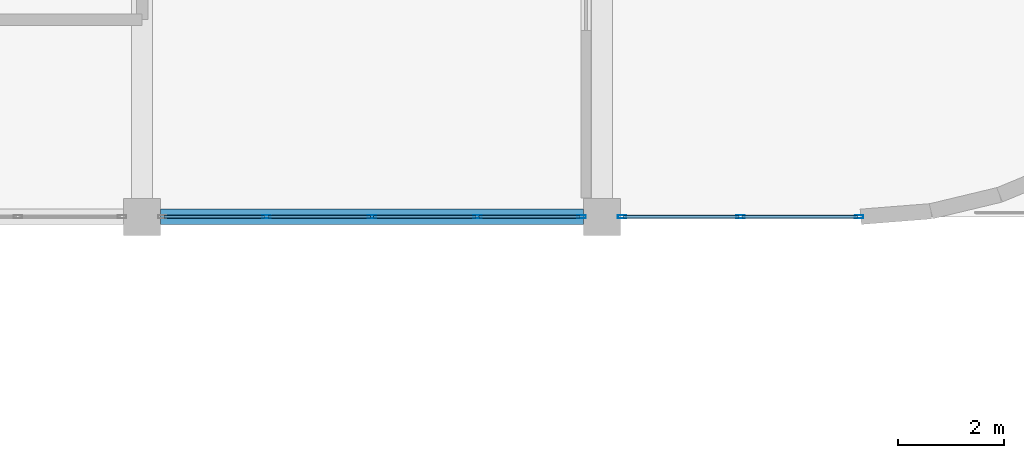
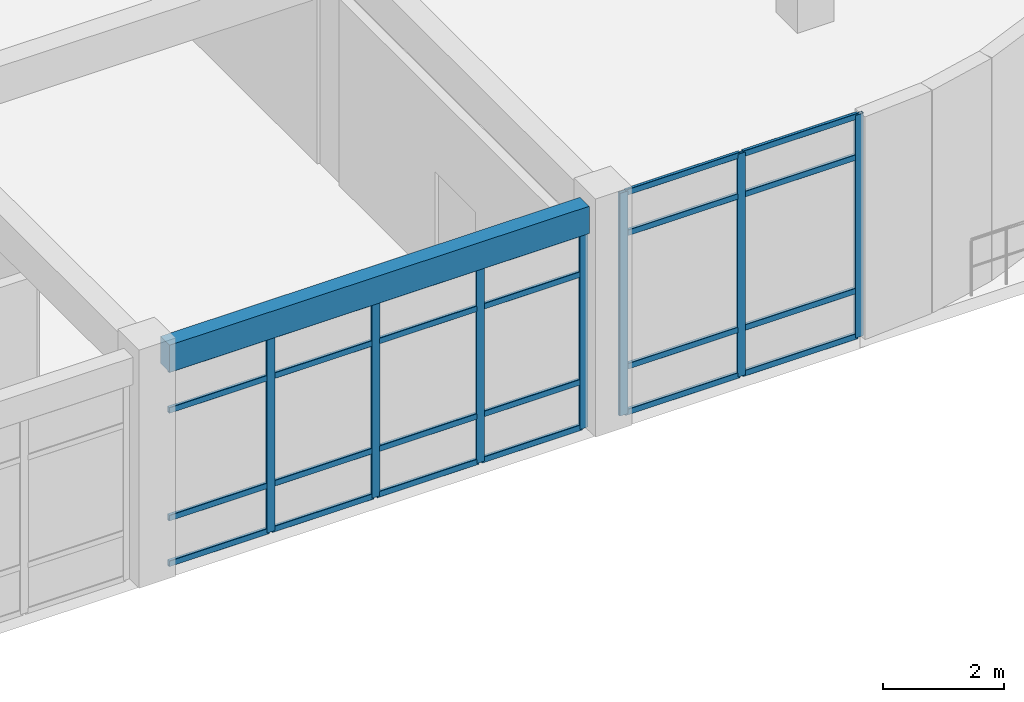
# One storey, part 41 of 76: 31 members, 1 beam, 2 elements without a shape of their own.
"""IFC4 building model written with IfcOpenShell, lengths in metres."""

from ifc_helpers import new_model, si_unit, derived_unit, direction, frame, origin, origin_2d, place, context, subcontext, project, spatial, rectangle, hollow_rectangle, extrude, material, layer, layer_set, material_profile, profile_set, type_object, element, aggregate, save


model = new_model("IFC4")

# Units and contexts
model_context = context("Model", 3, precision=1e-05, world=origin(), true_north=direction((0.0, 1.0)))
body_context = subcontext(model_context, "Body", "Model", "MODEL_VIEW")
ifc_project = project(units=[si_unit("LENGTHUNIT", "METRE"), si_unit("AREAUNIT", "SQUARE_METRE"), si_unit("VOLUMEUNIT", "CUBIC_METRE"), si_unit("PLANEANGLEUNIT", "RADIAN"), si_unit("MASSUNIT", "GRAM", prefix="KILO"), derived_unit("THERMALTRANSMITTANCEUNIT", [(si_unit("MASSUNIT", "GRAM", prefix="KILO"), 1), (si_unit("TIMEUNIT", "SECOND"), -3), (si_unit("THERMODYNAMICTEMPERATUREUNIT", "KELVIN"), -1)])], contexts=[model_context])

# Site, building, storey
site_placement = place(None, origin())
site = spatial("IfcSite", under=ifc_project, at=site_placement, CompositionType="ELEMENT")
building_placement = place(site_placement, origin())
building = spatial("IfcBuilding", under=site, at=building_placement, Name="Qinzheling Arcade Emporium", CompositionType="ELEMENT")
storey_placement = place(building_placement, frame((0.0, 0.0, 26.699951171875)))
storey = spatial("IfcBuildingStorey", under=building, at=storey_placement, Name="L06", CompositionType="ELEMENT", Elevation=26.699951171875)

# Curtain wall, members
ifc_material_1 = material(Name="Anodised aluminium and solar-control double glazing", Category="aluminium")
ifc_layer = layer(ifc_material_1, 0.159912109375, Name="Anodised aluminium and solar-control double glazing", Category="aluminium")
ifc_layer_set = layer_set([ifc_layer], Name="Anodised aluminium and solar-control double glazing")
curtain_wall_type = type_object("IfcCurtainWallType", Name="Arcade Portal Glazed Curtain Wall", PredefinedType="NOTDEFINED", material=ifc_layer_set)
curtain_wall_1_placement = place(storey_placement, origin())
curtain_wall_1 = element("IfcCurtainWall", 1, at=curtain_wall_1_placement, inside=storey, type_object=curtain_wall_type, Name="Curtain Wall CW-L06-394", PredefinedType="NOTDEFINED")
ifc_material_2 = material(Name="Anodised aluminium 6063-T6", Category="aluminium")
ifc_material_profile_1 = material_profile(ifc_material_2, hollow_rectangle(XDim=0.06005859375, YDim=0.159912109375, WallThickness=0.00390625, InnerFilletRadius=0.00390625, OuterFilletRadius=0.008056640625, at=origin_2d()), Name="RHS 160x60x4", Category="aluminium")
ifc_profile_set_1 = profile_set([ifc_material_profile_1], Name="Anodised aluminium 6063-T6")
member_type_1 = type_object("IfcMemberType", Name="Curtain Wall Mullion RHS160x60", PredefinedType="MULLION", material=ifc_profile_set_1)
member_1_placement = place(storey_placement, frame((126.669921875, 73.800048828125, 0.0), z_axis=(0.0, 0.0, 1.0), x_axis=(0.0, -1.0, 0.0)))
member_1 = element("IfcMember", 2, at=member_1_placement, type_object=member_type_1, Name="CW05 mullion 1", PredefinedType="MULLION", context=body_context, shape_type="SweptSolid", body=[
    extrude(hollow_rectangle(XDim=0.06005859375, YDim=0.159912109375, WallThickness=0.00390625, InnerFilletRadius=0.00390625, OuterFilletRadius=0.008056640625, at=origin_2d()), origin(), (0.0, 0.0, 1.0), 4.489990234375),
])
member_2_placement = place(storey_placement, frame((124.426025390625, 73.800048828125, 0.0), z_axis=(0.0, 0.0, 1.0), x_axis=(0.0, -1.0, 0.0)))
member_2 = element("IfcMember", 3, at=member_2_placement, type_object=member_type_1, Name="CW05 mullion 2", PredefinedType="MULLION", context=body_context, shape_type="SweptSolid", body=[
    extrude(hollow_rectangle(XDim=0.06005859375, YDim=0.159912109375, WallThickness=0.00390625, InnerFilletRadius=0.00390625, OuterFilletRadius=0.008056640625, at=origin_2d()), origin(), (0.0, 0.0, 1.0), 4.489990234375),
])
member_3_placement = place(storey_placement, frame((122.181884765625, 73.800048828125, 0.0), z_axis=(0.0, 0.0, 1.0), x_axis=(0.0, -1.0, 0.0)))
member_3 = element("IfcMember", 4, at=member_3_placement, type_object=member_type_1, Name="CW05 mullion 3", PredefinedType="MULLION", context=body_context, shape_type="SweptSolid", body=[
    extrude(hollow_rectangle(XDim=0.06005859375, YDim=0.159912109375, WallThickness=0.00390625, InnerFilletRadius=0.00390625, OuterFilletRadius=0.008056640625, at=origin_2d()), origin(), (0.0, 0.0, 1.0), 4.489990234375),
])

curtain_wall_2_placement = place(storey_placement, origin())
curtain_wall_2 = element("IfcCurtainWall", 5, at=curtain_wall_2_placement, inside=storey, type_object=curtain_wall_type, Name="Curtain Wall CW-L06-395", PredefinedType="NOTDEFINED")
member_4_placement = place(storey_placement, frame((121.41796875, 73.800048828125, 0.0), z_axis=(0.0, 0.0, 1.0), x_axis=(0.0, -1.0, 0.0)))
member_4 = element("IfcMember", 6, at=member_4_placement, type_object=member_type_1, Name="CW05 mullion 1", PredefinedType="MULLION", context=body_context, shape_type="SweptSolid", body=[
    extrude(hollow_rectangle(XDim=0.06005859375, YDim=0.159912109375, WallThickness=0.00390625, InnerFilletRadius=0.00390625, OuterFilletRadius=0.008056640625, at=origin_2d()), origin(), (0.0, 0.0, 1.0), 3.969970703125),
])
member_5_placement = place(storey_placement, frame((119.448974609375, 73.800048828125, 0.0), z_axis=(0.0, 0.0, 1.0), x_axis=(0.0, -1.0, 0.0)))
member_5 = element("IfcMember", 7, at=member_5_placement, type_object=member_type_1, Name="CW05 mullion 2", PredefinedType="MULLION", context=body_context, shape_type="SweptSolid", body=[
    extrude(hollow_rectangle(XDim=0.06005859375, YDim=0.159912109375, WallThickness=0.00390625, InnerFilletRadius=0.00390625, OuterFilletRadius=0.008056640625, at=origin_2d()), origin(), (0.0, 0.0, 1.0), 3.969970703125),
])
member_6_placement = place(storey_placement, frame((117.449951171875, 73.800048828125, 0.0), z_axis=(0.0, 0.0, 1.0), x_axis=(0.0, -1.0, 0.0)))
member_6 = element("IfcMember", 8, at=member_6_placement, type_object=member_type_1, Name="CW05 mullion 3", PredefinedType="MULLION", context=body_context, shape_type="SweptSolid", body=[
    extrude(hollow_rectangle(XDim=0.06005859375, YDim=0.159912109375, WallThickness=0.00390625, InnerFilletRadius=0.00390625, OuterFilletRadius=0.008056640625, at=origin_2d()), origin(), (0.0, 0.0, 1.0), 3.969970703125),
])
member_7_placement = place(storey_placement, frame((115.450927734375, 73.800048828125, 0.0), z_axis=(0.0, 0.0, 1.0), x_axis=(0.0, -1.0, 0.0)))
member_7 = element("IfcMember", 9, at=member_7_placement, type_object=member_type_1, Name="CW05 mullion 4", PredefinedType="MULLION", context=body_context, shape_type="SweptSolid", body=[
    extrude(hollow_rectangle(XDim=0.06005859375, YDim=0.159912109375, WallThickness=0.00390625, InnerFilletRadius=0.00390625, OuterFilletRadius=0.008056640625, at=origin_2d()), origin(), (0.0, 0.0, 1.0), 3.969970703125),
])

# Member
ifc_material_profile_2 = material_profile(ifc_material_2, hollow_rectangle(XDim=0.06005859375, YDim=0.1201171875, WallThickness=0.00390625, InnerFilletRadius=0.00390625, OuterFilletRadius=0.008056640625, at=origin_2d()), Name="RHS 120x60x4", Category="aluminium")
ifc_profile_set_2 = profile_set([ifc_material_profile_2], Name="Anodised aluminium 6063-T6")
member_type_2 = type_object("IfcMemberType", Name="Curtain Wall Transom RHS120x60", PredefinedType="USERDEFINED", material=ifc_profile_set_2)
member_8_placement = place(storey_placement, frame((126.639892578125, 73.800048828125, 0.030029296875), z_axis=(-1.0, 0.0, 0.0), x_axis=(0.0, -1.0, 0.0)))
member_8 = element("IfcMember", 10, at=member_8_placement, type_object=member_type_2, Name="CW05 transom 1.1", ObjectType="TRANSOM", PredefinedType="USERDEFINED", context=body_context, shape_type="SweptSolid", body=[
    extrude(hollow_rectangle(XDim=0.06005859375, YDim=0.1201171875, WallThickness=0.00390625, InnerFilletRadius=0.00390625, OuterFilletRadius=0.008056640625, at=origin_2d()), origin(), (0.0, 0.0, 1.0), 2.183837890625),
])

member_9_placement = place(storey_placement, frame((126.639892578125, 73.800048828125, 0.949951171875), z_axis=(-1.0, 0.0, 0.0), x_axis=(0.0, -1.0, 0.0)))
member_9 = element("IfcMember", 11, at=member_9_placement, type_object=member_type_2, Name="CW05 transom 1.2", ObjectType="TRANSOM", PredefinedType="USERDEFINED", context=body_context, shape_type="SweptSolid", body=[
    extrude(hollow_rectangle(XDim=0.06005859375, YDim=0.1201171875, WallThickness=0.00390625, InnerFilletRadius=0.00390625, OuterFilletRadius=0.008056640625, at=origin_2d()), origin(), (0.0, 0.0, 1.0), 2.183837890625),
])

member_10_placement = place(storey_placement, frame((126.639892578125, 73.800048828125, 3.64013671875), z_axis=(-1.0, 0.0, 0.0), x_axis=(0.0, -1.0, 0.0)))
member_10 = element("IfcMember", 12, at=member_10_placement, type_object=member_type_2, Name="CW05 transom 1.3", ObjectType="TRANSOM", PredefinedType="USERDEFINED", context=body_context, shape_type="SweptSolid", body=[
    extrude(hollow_rectangle(XDim=0.06005859375, YDim=0.1201171875, WallThickness=0.00390625, InnerFilletRadius=0.00390625, OuterFilletRadius=0.008056640625, at=origin_2d()), origin(), (0.0, 0.0, 1.0), 2.183837890625),
])

member_11_placement = place(storey_placement, frame((126.639892578125, 73.800048828125, 4.4599609375), z_axis=(-1.0, 0.0, 0.0), x_axis=(0.0, -1.0, 0.0)))
member_11 = element("IfcMember", 13, at=member_11_placement, type_object=member_type_2, Name="CW05 transom 1.4", ObjectType="TRANSOM", PredefinedType="USERDEFINED", context=body_context, shape_type="SweptSolid", body=[
    extrude(hollow_rectangle(XDim=0.06005859375, YDim=0.1201171875, WallThickness=0.00390625, InnerFilletRadius=0.00390625, OuterFilletRadius=0.008056640625, at=origin_2d()), origin(), (0.0, 0.0, 1.0), 2.183837890625),
])

member_12_placement = place(storey_placement, frame((124.39599609375, 73.800048828125, 0.030029296875), z_axis=(-1.0, 0.0, 0.0), x_axis=(0.0, -1.0, 0.0)))
member_12 = element("IfcMember", 14, at=member_12_placement, type_object=member_type_2, Name="CW05 transom 2.1", ObjectType="TRANSOM", PredefinedType="USERDEFINED", context=body_context, shape_type="SweptSolid", body=[
    extrude(hollow_rectangle(XDim=0.06005859375, YDim=0.1201171875, WallThickness=0.00390625, InnerFilletRadius=0.00390625, OuterFilletRadius=0.008056640625, at=origin_2d()), origin(), (0.0, 0.0, 1.0), 2.18408203125),
])

member_13_placement = place(storey_placement, frame((124.39599609375, 73.800048828125, 0.949951171875), z_axis=(-1.0, 0.0, 0.0), x_axis=(0.0, -1.0, 0.0)))
member_13 = element("IfcMember", 15, at=member_13_placement, type_object=member_type_2, Name="CW05 transom 2.2", ObjectType="TRANSOM", PredefinedType="USERDEFINED", context=body_context, shape_type="SweptSolid", body=[
    extrude(hollow_rectangle(XDim=0.06005859375, YDim=0.1201171875, WallThickness=0.00390625, InnerFilletRadius=0.00390625, OuterFilletRadius=0.008056640625, at=origin_2d()), origin(), (0.0, 0.0, 1.0), 2.18408203125),
])

member_14_placement = place(storey_placement, frame((124.39599609375, 73.800048828125, 3.64013671875), z_axis=(-1.0, 0.0, 0.0), x_axis=(0.0, -1.0, 0.0)))
member_14 = element("IfcMember", 16, at=member_14_placement, type_object=member_type_2, Name="CW05 transom 2.3", ObjectType="TRANSOM", PredefinedType="USERDEFINED", context=body_context, shape_type="SweptSolid", body=[
    extrude(hollow_rectangle(XDim=0.06005859375, YDim=0.1201171875, WallThickness=0.00390625, InnerFilletRadius=0.00390625, OuterFilletRadius=0.008056640625, at=origin_2d()), origin(), (0.0, 0.0, 1.0), 2.18408203125),
])

member_15_placement = place(storey_placement, frame((124.39599609375, 73.800048828125, 4.4599609375), z_axis=(-1.0, 0.0, 0.0), x_axis=(0.0, -1.0, 0.0)))
member_15 = element("IfcMember", 17, at=member_15_placement, type_object=member_type_2, Name="CW05 transom 2.4", ObjectType="TRANSOM", PredefinedType="USERDEFINED", context=body_context, shape_type="SweptSolid", body=[
    extrude(hollow_rectangle(XDim=0.06005859375, YDim=0.1201171875, WallThickness=0.00390625, InnerFilletRadius=0.00390625, OuterFilletRadius=0.008056640625, at=origin_2d()), origin(), (0.0, 0.0, 1.0), 2.18408203125),
])

aggregate(curtain_wall_1, [member_1, member_2, member_3, member_8, member_9, member_10, member_11, member_12, member_13, member_14, member_15])

member_16_placement = place(storey_placement, frame((121.387939453125, 73.800048828125, 0.030029296875), z_axis=(-1.0, 0.0, 0.0), x_axis=(0.0, -1.0, 0.0)))
member_16 = element("IfcMember", 18, at=member_16_placement, type_object=member_type_2, Name="CW05 transom 1.1", ObjectType="TRANSOM", PredefinedType="USERDEFINED", context=body_context, shape_type="SweptSolid", body=[
    extrude(hollow_rectangle(XDim=0.06005859375, YDim=0.1201171875, WallThickness=0.00390625, InnerFilletRadius=0.00390625, OuterFilletRadius=0.008056640625, at=origin_2d()), origin(), (0.0, 0.0, 1.0), 1.908935546875),
])

member_17_placement = place(storey_placement, frame((121.387939453125, 73.800048828125, 0.949951171875), z_axis=(-1.0, 0.0, 0.0), x_axis=(0.0, -1.0, 0.0)))
member_17 = element("IfcMember", 19, at=member_17_placement, type_object=member_type_2, Name="CW05 transom 1.2", ObjectType="TRANSOM", PredefinedType="USERDEFINED", context=body_context, shape_type="SweptSolid", body=[
    extrude(hollow_rectangle(XDim=0.06005859375, YDim=0.1201171875, WallThickness=0.00390625, InnerFilletRadius=0.00390625, OuterFilletRadius=0.008056640625, at=origin_2d()), origin(), (0.0, 0.0, 1.0), 1.908935546875),
])

member_18_placement = place(storey_placement, frame((121.387939453125, 73.800048828125, 3.1201171875), z_axis=(-1.0, 0.0, 0.0), x_axis=(0.0, -1.0, 0.0)))
member_18 = element("IfcMember", 20, at=member_18_placement, type_object=member_type_2, Name="CW05 transom 1.3", ObjectType="TRANSOM", PredefinedType="USERDEFINED", context=body_context, shape_type="SweptSolid", body=[
    extrude(hollow_rectangle(XDim=0.06005859375, YDim=0.1201171875, WallThickness=0.00390625, InnerFilletRadius=0.00390625, OuterFilletRadius=0.008056640625, at=origin_2d()), origin(), (0.0, 0.0, 1.0), 1.908935546875),
])

member_19_placement = place(storey_placement, frame((121.387939453125, 73.800048828125, 3.93994140625), z_axis=(-1.0, 0.0, 0.0), x_axis=(0.0, -1.0, 0.0)))
member_19 = element("IfcMember", 21, at=member_19_placement, type_object=member_type_2, Name="CW05 transom 1.4", ObjectType="TRANSOM", PredefinedType="USERDEFINED", context=body_context, shape_type="SweptSolid", body=[
    extrude(hollow_rectangle(XDim=0.06005859375, YDim=0.1201171875, WallThickness=0.00390625, InnerFilletRadius=0.00390625, OuterFilletRadius=0.008056640625, at=origin_2d()), origin(), (0.0, 0.0, 1.0), 1.908935546875),
])

member_20_placement = place(storey_placement, frame((119.4189453125, 73.800048828125, 0.030029296875), z_axis=(-1.0, 0.0, 0.0), x_axis=(0.0, -1.0, 0.0)))
member_20 = element("IfcMember", 22, at=member_20_placement, type_object=member_type_2, Name="CW05 transom 2.1", ObjectType="TRANSOM", PredefinedType="USERDEFINED", context=body_context, shape_type="SweptSolid", body=[
    extrude(hollow_rectangle(XDim=0.06005859375, YDim=0.1201171875, WallThickness=0.00390625, InnerFilletRadius=0.00390625, OuterFilletRadius=0.008056640625, at=origin_2d()), origin(), (0.0, 0.0, 1.0), 1.93896484375),
])

member_21_placement = place(storey_placement, frame((119.4189453125, 73.800048828125, 0.949951171875), z_axis=(-1.0, 0.0, 0.0), x_axis=(0.0, -1.0, 0.0)))
member_21 = element("IfcMember", 23, at=member_21_placement, type_object=member_type_2, Name="CW05 transom 2.2", ObjectType="TRANSOM", PredefinedType="USERDEFINED", context=body_context, shape_type="SweptSolid", body=[
    extrude(hollow_rectangle(XDim=0.06005859375, YDim=0.1201171875, WallThickness=0.00390625, InnerFilletRadius=0.00390625, OuterFilletRadius=0.008056640625, at=origin_2d()), origin(), (0.0, 0.0, 1.0), 1.93896484375),
])

member_22_placement = place(storey_placement, frame((119.4189453125, 73.800048828125, 3.1201171875), z_axis=(-1.0, 0.0, 0.0), x_axis=(0.0, -1.0, 0.0)))
member_22 = element("IfcMember", 24, at=member_22_placement, type_object=member_type_2, Name="CW05 transom 2.3", ObjectType="TRANSOM", PredefinedType="USERDEFINED", context=body_context, shape_type="SweptSolid", body=[
    extrude(hollow_rectangle(XDim=0.06005859375, YDim=0.1201171875, WallThickness=0.00390625, InnerFilletRadius=0.00390625, OuterFilletRadius=0.008056640625, at=origin_2d()), origin(), (0.0, 0.0, 1.0), 1.93896484375),
])

member_23_placement = place(storey_placement, frame((119.4189453125, 73.800048828125, 3.93994140625), z_axis=(-1.0, 0.0, 0.0), x_axis=(0.0, -1.0, 0.0)))
member_23 = element("IfcMember", 25, at=member_23_placement, type_object=member_type_2, Name="CW05 transom 2.4", ObjectType="TRANSOM", PredefinedType="USERDEFINED", context=body_context, shape_type="SweptSolid", body=[
    extrude(hollow_rectangle(XDim=0.06005859375, YDim=0.1201171875, WallThickness=0.00390625, InnerFilletRadius=0.00390625, OuterFilletRadius=0.008056640625, at=origin_2d()), origin(), (0.0, 0.0, 1.0), 1.93896484375),
])

member_24_placement = place(storey_placement, frame((117.419921875, 73.800048828125, 0.030029296875), z_axis=(-1.0, 0.0, 0.0), x_axis=(0.0, -1.0, 0.0)))
member_24 = element("IfcMember", 26, at=member_24_placement, type_object=member_type_2, Name="CW05 transom 3.1", ObjectType="TRANSOM", PredefinedType="USERDEFINED", context=body_context, shape_type="SweptSolid", body=[
    extrude(hollow_rectangle(XDim=0.06005859375, YDim=0.1201171875, WallThickness=0.00390625, InnerFilletRadius=0.00390625, OuterFilletRadius=0.008056640625, at=origin_2d()), origin(), (0.0, 0.0, 1.0), 1.93896484375),
])

member_25_placement = place(storey_placement, frame((117.419921875, 73.800048828125, 0.949951171875), z_axis=(-1.0, 0.0, 0.0), x_axis=(0.0, -1.0, 0.0)))
member_25 = element("IfcMember", 27, at=member_25_placement, type_object=member_type_2, Name="CW05 transom 3.2", ObjectType="TRANSOM", PredefinedType="USERDEFINED", context=body_context, shape_type="SweptSolid", body=[
    extrude(hollow_rectangle(XDim=0.06005859375, YDim=0.1201171875, WallThickness=0.00390625, InnerFilletRadius=0.00390625, OuterFilletRadius=0.008056640625, at=origin_2d()), origin(), (0.0, 0.0, 1.0), 1.93896484375),
])

member_26_placement = place(storey_placement, frame((117.419921875, 73.800048828125, 3.1201171875), z_axis=(-1.0, 0.0, 0.0), x_axis=(0.0, -1.0, 0.0)))
member_26 = element("IfcMember", 28, at=member_26_placement, type_object=member_type_2, Name="CW05 transom 3.3", ObjectType="TRANSOM", PredefinedType="USERDEFINED", context=body_context, shape_type="SweptSolid", body=[
    extrude(hollow_rectangle(XDim=0.06005859375, YDim=0.1201171875, WallThickness=0.00390625, InnerFilletRadius=0.00390625, OuterFilletRadius=0.008056640625, at=origin_2d()), origin(), (0.0, 0.0, 1.0), 1.93896484375),
])

member_27_placement = place(storey_placement, frame((117.419921875, 73.800048828125, 3.93994140625), z_axis=(-1.0, 0.0, 0.0), x_axis=(0.0, -1.0, 0.0)))
member_27 = element("IfcMember", 29, at=member_27_placement, type_object=member_type_2, Name="CW05 transom 3.4", ObjectType="TRANSOM", PredefinedType="USERDEFINED", context=body_context, shape_type="SweptSolid", body=[
    extrude(hollow_rectangle(XDim=0.06005859375, YDim=0.1201171875, WallThickness=0.00390625, InnerFilletRadius=0.00390625, OuterFilletRadius=0.008056640625, at=origin_2d()), origin(), (0.0, 0.0, 1.0), 1.93896484375),
])

member_28_placement = place(storey_placement, frame((115.4208984375, 73.800048828125, 0.030029296875), z_axis=(-1.0, 0.0, 0.0), x_axis=(0.0, -1.0, 0.0)))
member_28 = element("IfcMember", 30, at=member_28_placement, type_object=member_type_2, Name="CW05 transom 4.1", ObjectType="TRANSOM", PredefinedType="USERDEFINED", context=body_context, shape_type="SweptSolid", body=[
    extrude(hollow_rectangle(XDim=0.06005859375, YDim=0.1201171875, WallThickness=0.00390625, InnerFilletRadius=0.00390625, OuterFilletRadius=0.008056640625, at=origin_2d()), origin(), (0.0, 0.0, 1.0), 1.908935546875),
])

member_29_placement = place(storey_placement, frame((115.4208984375, 73.800048828125, 0.949951171875), z_axis=(-1.0, 0.0, 0.0), x_axis=(0.0, -1.0, 0.0)))
member_29 = element("IfcMember", 31, at=member_29_placement, type_object=member_type_2, Name="CW05 transom 4.2", ObjectType="TRANSOM", PredefinedType="USERDEFINED", context=body_context, shape_type="SweptSolid", body=[
    extrude(hollow_rectangle(XDim=0.06005859375, YDim=0.1201171875, WallThickness=0.00390625, InnerFilletRadius=0.00390625, OuterFilletRadius=0.008056640625, at=origin_2d()), origin(), (0.0, 0.0, 1.0), 1.908935546875),
])

member_30_placement = place(storey_placement, frame((115.4208984375, 73.800048828125, 3.1201171875), z_axis=(-1.0, 0.0, 0.0), x_axis=(0.0, -1.0, 0.0)))
member_30 = element("IfcMember", 32, at=member_30_placement, type_object=member_type_2, Name="CW05 transom 4.3", ObjectType="TRANSOM", PredefinedType="USERDEFINED", context=body_context, shape_type="SweptSolid", body=[
    extrude(hollow_rectangle(XDim=0.06005859375, YDim=0.1201171875, WallThickness=0.00390625, InnerFilletRadius=0.00390625, OuterFilletRadius=0.008056640625, at=origin_2d()), origin(), (0.0, 0.0, 1.0), 1.908935546875),
])

member_31_placement = place(storey_placement, frame((115.4208984375, 73.800048828125, 3.93994140625), z_axis=(-1.0, 0.0, 0.0), x_axis=(0.0, -1.0, 0.0)))
member_31 = element("IfcMember", 33, at=member_31_placement, type_object=member_type_2, Name="CW05 transom 4.4", ObjectType="TRANSOM", PredefinedType="USERDEFINED", context=body_context, shape_type="SweptSolid", body=[
    extrude(hollow_rectangle(XDim=0.06005859375, YDim=0.1201171875, WallThickness=0.00390625, InnerFilletRadius=0.00390625, OuterFilletRadius=0.008056640625, at=origin_2d()), origin(), (0.0, 0.0, 1.0), 1.908935546875),
])

aggregate(curtain_wall_2, [member_4, member_5, member_6, member_7, member_16, member_17, member_18, member_19, member_20, member_21, member_22, member_23, member_24, member_25, member_26, member_27, member_28, member_29, member_30, member_31])

# Beam
ifc_material_3 = material(Name="Concrete C40", Category="concrete")
ifc_material_profile_3 = material_profile(ifc_material_3, rectangle(XDim=0.300048828125, YDim=0.550048828125, at=origin_2d()), Name="RC 300x550", Category="concrete")
ifc_profile_set_3 = profile_set([ifc_material_profile_3], Name="Concrete C40")
beam_type = type_object("IfcBeamType", Name="RC Terrace Spandrel Beam 300x550 C40", PredefinedType="SPANDREL", material=ifc_profile_set_3)
beam_placement = place(storey_placement, frame((113.449951171875, 73.800048828125, 4.260009765625), z_axis=(1.0, 0.0, 0.0), x_axis=(0.0, 1.0, 0.0)))
element("IfcBeam", 34, at=beam_placement, inside=storey, type_object=beam_type, Name="Beam BM-L06-X-J-14", PredefinedType="SPANDREL", context=body_context, shape_type="SweptSolid", body=[
    extrude(rectangle(XDim=0.300048828125, YDim=0.550048828125, at=origin_2d()), origin(), (0.0, 0.0, 1.0), 8.0),
])

save(model, "model.ifc")
